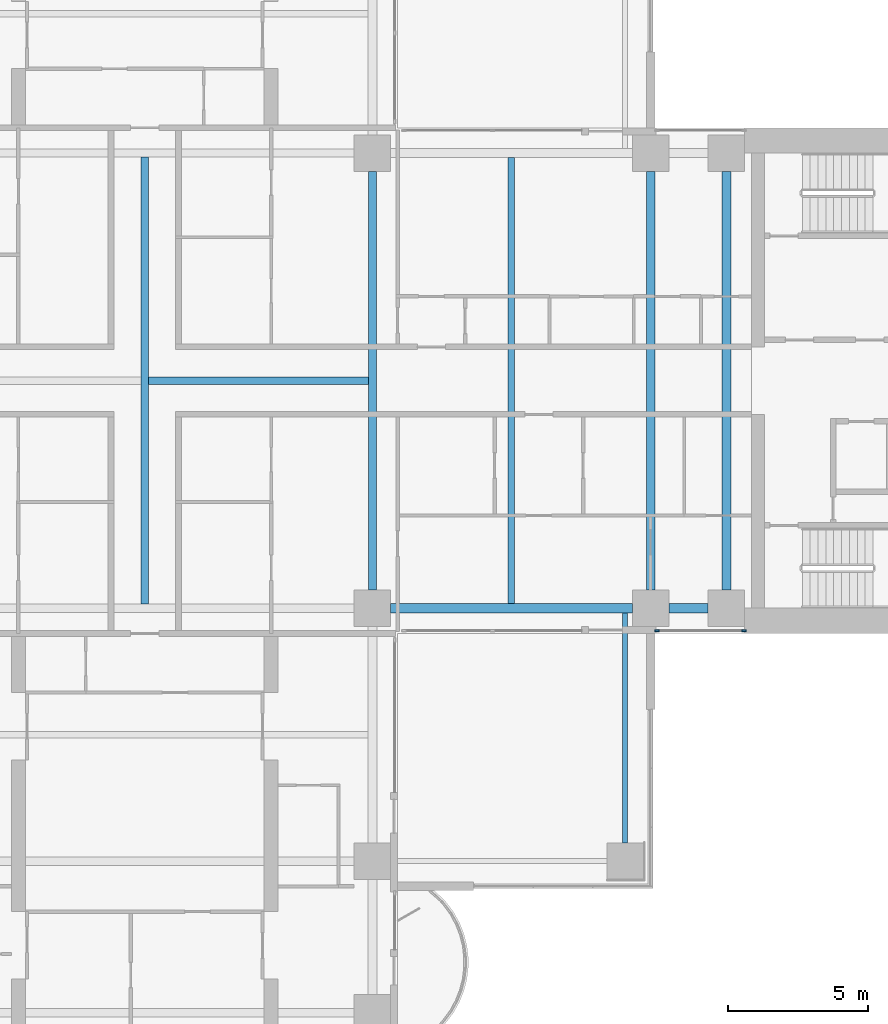
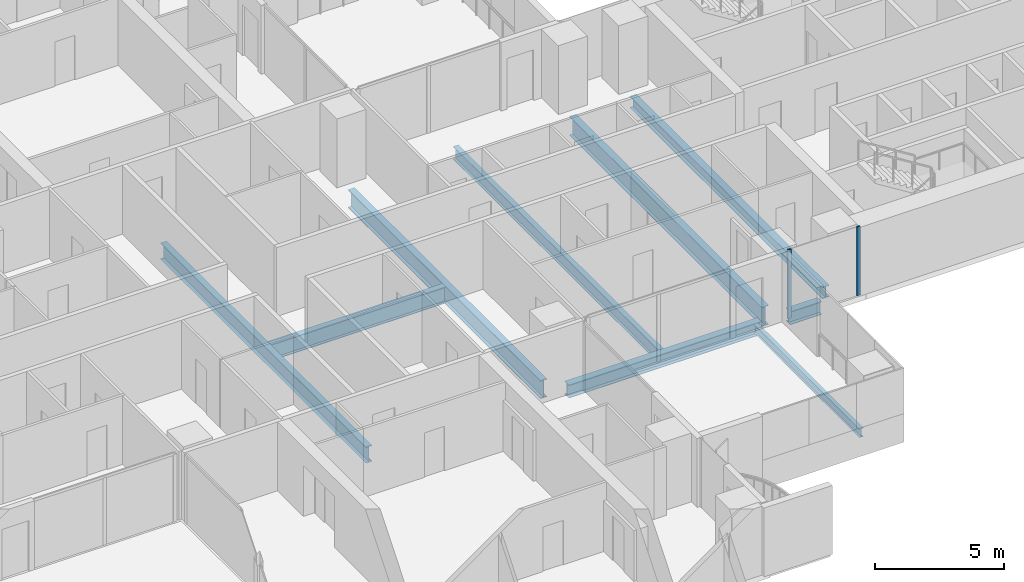
# One storey, part 4 of 21: 9 beams, 2 members, 1 element without a shape of its own.
"""IFC4 building model written with IfcOpenShell, lengths in metres."""

from ifc_helpers import new_model, si_unit, direction, frame, origin, origin_2d, place, context, subcontext, project, spatial, rectangle, i_section, extrude, material, material_profile, profile_set, type_object, element, aggregate, save


model = new_model("IFC4")

# Units and contexts
model_context = context("Model", 3, precision=1e-05, world=origin(), true_north=direction((0.0, 1.0)))
body_context = subcontext(model_context, "Body", "Model", "MODEL_VIEW")
ifc_project = project(units=[si_unit("LENGTHUNIT", "METRE"), si_unit("AREAUNIT", "SQUARE_METRE"), si_unit("VOLUMEUNIT", "CUBIC_METRE"), si_unit("PLANEANGLEUNIT", "RADIAN"), si_unit("MASSUNIT", "GRAM", prefix="KILO")], contexts=[model_context])

# Site, building, storey
site_placement = place(None, origin())
site = spatial("IfcSite", under=ifc_project, at=site_placement, CompositionType="ELEMENT")
building_placement = place(site_placement, origin())
building = spatial("IfcBuilding", under=site, at=building_placement, Name="Perihelion Cross Residences", CompositionType="ELEMENT")
storey_placement = place(building_placement, frame((0.0, 0.0, 40.0)))
storey = spatial("IfcBuildingStorey", under=building, at=storey_placement, Name="L06", CompositionType="ELEMENT", Elevation=40.0)

# Curtain wall, members
ifc_material_1 = material(Name="Bronze anodised aluminium, tinted glazing", Category="aluminium")
curtain_wall_type = type_object("IfcCurtainWallType", Name="CW1", PredefinedType="NOTDEFINED", material=ifc_material_1)
curtain_wall_placement = place(storey_placement, origin())
curtain_wall = element("IfcCurtainWall", 1, at=curtain_wall_placement, inside=storey, type_object=curtain_wall_type, Name="Curtain wall CW1 L06 east side south bay 2", PredefinedType="NOTDEFINED")
ifc_material_2 = material(Name="Bronze anodised aluminium", Category="aluminium")
ifc_material_profile_1 = material_profile(ifc_material_2, rectangle(XDim=0.06005859375, YDim=0.159912109375, at=origin_2d()), Name="CW1 mullion")
ifc_profile_set_1 = profile_set([ifc_material_profile_1], Name="Bronze anodised aluminium")
member_type = type_object("IfcMemberType", Name="CW1 mullion", PredefinedType="MULLION", material=ifc_profile_set_1)
member_1_placement = place(storey_placement, frame((18.22998046875, -8.89990234375, 0.0), z_axis=(0.0, 0.0, 1.0), x_axis=(0.0, 1.0, 0.0)))
member_1 = element("IfcMember", 2, at=member_1_placement, type_object=member_type, Name="CW1 mullion 1", PredefinedType="MULLION", context=body_context, shape_type="SweptSolid", body=[
    extrude(rectangle(XDim=0.06005859375, YDim=0.159912109375, at=origin_2d()), origin(), (0.0, 0.0, 1.0), 3.25),
])
member_2_placement = place(storey_placement, frame((21.320068359375, -8.89990234375, 0.0), z_axis=(0.0, 0.0, 1.0), x_axis=(0.0, 1.0, 0.0)))
member_2 = element("IfcMember", 3, at=member_2_placement, type_object=member_type, Name="CW1 mullion 2", PredefinedType="MULLION", context=body_context, shape_type="SweptSolid", body=[
    extrude(rectangle(XDim=0.06005859375, YDim=0.159912109375, at=origin_2d()), origin(), (0.0, 0.0, 1.0), 3.25),
])
aggregate(curtain_wall, [member_1, member_2])

# Beams
ifc_material_3 = material(Name="Steel S355", Category="steel")
ifc_material_profile_2 = material_profile(ifc_material_3, i_section(OverallWidth=0.177978515625, OverallDepth=0.406005859375, WebThickness=0.0078125, FlangeThickness=0.0126953125, at=origin_2d()), Name="W410x60")
ifc_profile_set_2 = profile_set([ifc_material_profile_2], Name="Steel S355")
beam_type_1 = type_object("IfcBeamType", Name="Core edge beam W410x60", PredefinedType="BEAM", material=ifc_profile_set_2)
beam_1_placement = place(storey_placement, frame((17.10009765625, -8.262451171875, -0.452880859375), z_axis=(0.0, -1.0, 0.0), x_axis=(1.0, 0.0, 0.0)))
element("IfcBeam", 4, at=beam_1_placement, inside=storey, type_object=beam_type_1, Name="Core edge beam TB2 L06 corner no. 5", PredefinedType="BEAM", context=body_context, shape_type="SweptSolid", body=[
    extrude(i_section(OverallWidth=0.177978515625, OverallDepth=0.406005859375, WebThickness=0.0078125, FlangeThickness=0.0126953125, at=origin_2d()), origin(), (0.0, 0.0, 1.0), 8.1875),
])
ifc_material_4 = material(Name="Steel S355", Category="steel")
ifc_material_profile_3 = material_profile(ifc_material_4, i_section(OverallWidth=0.31201171875, OverallDepth=0.5439453125, WebThickness=0.0126953125, FlangeThickness=0.020263671875, at=origin_2d()), Name="W530x150")
ifc_profile_set_3 = profile_set([ifc_material_profile_3], Name="Steel S355")
beam_type_2 = type_object("IfcBeamType", Name="Core edge beam W530x150", PredefinedType="BEAM", material=ifc_profile_set_3)
beam_2_placement = place(storey_placement, frame((20.699951171875, -7.449951171875, -0.52197265625), z_axis=(0.0, 1.0, 0.0), x_axis=(-1.0, 0.0, 0.0)))
element("IfcBeam", 5, at=beam_2_placement, inside=storey, type_object=beam_type_2, Name="Core edge beam TB4 L06 no. 2", PredefinedType="BEAM", context=body_context, shape_type="SweptSolid", body=[
    extrude(i_section(OverallWidth=0.31201171875, OverallDepth=0.5439453125, WebThickness=0.0126953125, FlangeThickness=0.020263671875, at=origin_2d()), origin(), (0.0, 0.0, 1.0), 14.89990234375),
])
ifc_material_5 = material(Name="Steel S355", Category="steel")
ifc_material_profile_4 = material_profile(ifc_material_5, i_section(OverallWidth=0.324951171875, OverallDepth=0.616943359375, WebThickness=0.013916015625, FlangeThickness=0.021484375, at=origin_2d()), Name="W610x174")
ifc_profile_set_4 = profile_set([ifc_material_profile_4], Name="Steel S355")
beam_type_3 = type_object("IfcBeamType", Name="Edge beam W610x174", PredefinedType="SPANDREL", material=ifc_profile_set_4)
beam_3_placement = place(storey_placement, frame((8.75, -8.10009765625, -0.55859375), z_axis=(1.0, 0.0, 0.0), x_axis=(0.0, 1.0, 0.0)))
element("IfcBeam", 6, at=beam_3_placement, inside=storey, type_object=beam_type_3, Name="Edge beam SB2 L06 no. 18", PredefinedType="SPANDREL", context=body_context, shape_type="SweptSolid", body=[
    extrude(i_section(OverallWidth=0.324951171875, OverallDepth=0.616943359375, WebThickness=0.013916015625, FlangeThickness=0.021484375, at=origin_2d()), origin(), (0.0, 0.0, 1.0), 8.60009765625),
])
beam_4_placement = place(storey_placement, frame((18.64990234375, -8.10009765625, -0.55859375), z_axis=(1.0, 0.0, 0.0), x_axis=(0.0, 1.0, 0.0)))
element("IfcBeam", 7, at=beam_4_placement, inside=storey, type_object=beam_type_3, Name="Edge beam SB2 L06 no. 12", PredefinedType="SPANDREL", context=body_context, shape_type="SweptSolid", body=[
    extrude(i_section(OverallWidth=0.324951171875, OverallDepth=0.616943359375, WebThickness=0.013916015625, FlangeThickness=0.021484375, at=origin_2d()), origin(), (0.0, 0.0, 1.0), 1.400146484375),
])
ifc_material_6 = material(Name="Steel S355", Category="steel")
ifc_material_profile_5 = material_profile(ifc_material_6, i_section(OverallWidth=0.304931640625, OverallDepth=0.904052734375, WebThickness=0.01513671875, FlangeThickness=0.02001953125, at=origin_2d()), Name="W920x201")
ifc_profile_set_5 = profile_set([ifc_material_profile_5], Name="Steel S355")
beam_type_4 = type_object("IfcBeamType", Name="Floor girder W920x201", PredefinedType="BEAM", material=ifc_profile_set_5)
beam_5_placement = place(storey_placement, frame((18.0, -7.449951171875, -0.701904296875), z_axis=(0.0, 1.0, 0.0), x_axis=(-1.0, 0.0, 0.0)))
element("IfcBeam", 8, at=beam_5_placement, inside=storey, type_object=beam_type_4, Name="Girder G2 L06 no. 2", PredefinedType="BEAM", context=body_context, shape_type="SweptSolid", body=[
    extrude(i_section(OverallWidth=0.304931640625, OverallDepth=0.904052734375, WebThickness=0.01513671875, FlangeThickness=0.02001953125, at=origin_2d()), origin(), (0.0, 0.0, 1.0), 14.89990234375),
])
ifc_material_7 = material(Name="Steel S355", Category="steel")
ifc_material_profile_6 = material_profile(ifc_material_7, i_section(OverallWidth=0.22900390625, OverallDepth=0.612060546875, WebThickness=0.011962890625, FlangeThickness=0.01953125, at=origin_2d()), Name="W610x125")
ifc_profile_set_6 = profile_set([ifc_material_profile_6], Name="Steel S355")
beam_type_5 = type_object("IfcBeamType", Name="Floor joist W610x125", PredefinedType="JOIST", material=ifc_profile_set_6)
beam_6_placement = place(storey_placement, frame((13.050048828125, -7.9375, -0.555908203125), z_axis=(0.0, 1.0, 0.0), x_axis=(-1.0, 0.0, 0.0)))
element("IfcBeam", 9, at=beam_6_placement, inside=storey, type_object=beam_type_5, Name="Joist J3 L06 no. 2", PredefinedType="JOIST", context=body_context, shape_type="SweptSolid", body=[
    extrude(i_section(OverallWidth=0.22900390625, OverallDepth=0.612060546875, WebThickness=0.011962890625, FlangeThickness=0.01953125, at=origin_2d()), origin(), (0.0, 0.0, 1.0), 15.875),
])
ifc_material_8 = material(Name="Steel S355", Category="steel")
ifc_material_profile_7 = material_profile(ifc_material_8, i_section(OverallWidth=0.26708984375, OverallDepth=0.77001953125, WebThickness=0.015625, FlangeThickness=0.025390625, at=origin_2d()), Name="W760x196")
ifc_profile_set_7 = profile_set([ifc_material_profile_7], Name="Steel S355")
beam_type_6 = type_object("IfcBeamType", Name="Hub cross beam W760x196", PredefinedType="BEAM", material=ifc_profile_set_7)
beam_7_placement = place(storey_placement, frame((0.0, -7.9541015625, -0.635009765625), z_axis=(0.0, 1.0, 0.0), x_axis=(-1.0, 0.0, 0.0)))
element("IfcBeam", 10, at=beam_7_placement, inside=storey, type_object=beam_type_6, Name="Hub cross beam XB2 L06 no. 1", PredefinedType="BEAM", context=body_context, shape_type="SweptSolid", body=[
    extrude(i_section(OverallWidth=0.26708984375, OverallDepth=0.77001953125, WebThickness=0.015625, FlangeThickness=0.025390625, at=origin_2d()), origin(), (0.0, 0.0, 1.0), 15.908203125),
])
beam_8_placement = place(storey_placement, frame((0.133544921875, 0.0, -0.635009765625), z_axis=(1.0, 0.0, 0.0), x_axis=(0.0, 1.0, 0.0)))
element("IfcBeam", 11, at=beam_8_placement, inside=storey, type_object=beam_type_6, Name="Hub cross beam XB2 L06 2 no. 1", PredefinedType="BEAM", context=body_context, shape_type="SweptSolid", body=[
    extrude(i_section(OverallWidth=0.26708984375, OverallDepth=0.77001953125, WebThickness=0.015625, FlangeThickness=0.025390625, at=origin_2d()), origin(), (0.0, 0.0, 1.0), 7.820556640625),
])
ifc_material_9 = material(Name="Steel S355", Category="steel")
ifc_material_profile_8 = material_profile(ifc_material_9, i_section(OverallWidth=0.2919921875, OverallDepth=0.85888671875, WebThickness=0.01708984375, FlangeThickness=0.031005859375, at=origin_2d()), Name="W840x251")
ifc_profile_set_8 = profile_set([ifc_material_profile_8], Name="Steel S355")
beam_type_7 = type_object("IfcBeamType", Name="Hub ring girder W840x251", PredefinedType="BEAM", material=ifc_profile_set_8)
beam_9_placement = place(storey_placement, frame((8.10009765625, -7.449951171875, -0.679443359375), z_axis=(0.0, 1.0, 0.0), x_axis=(-1.0, 0.0, 0.0)))
element("IfcBeam", 12, at=beam_9_placement, inside=storey, type_object=beam_type_7, Name="Hub ring girder RG2 L06 no. 3", PredefinedType="BEAM", context=body_context, shape_type="SweptSolid", body=[
    extrude(i_section(OverallWidth=0.2919921875, OverallDepth=0.85888671875, WebThickness=0.01708984375, FlangeThickness=0.031005859375, at=origin_2d()), origin(), (0.0, 0.0, 1.0), 14.89990234375),
])

save(model, "model.ifc")
